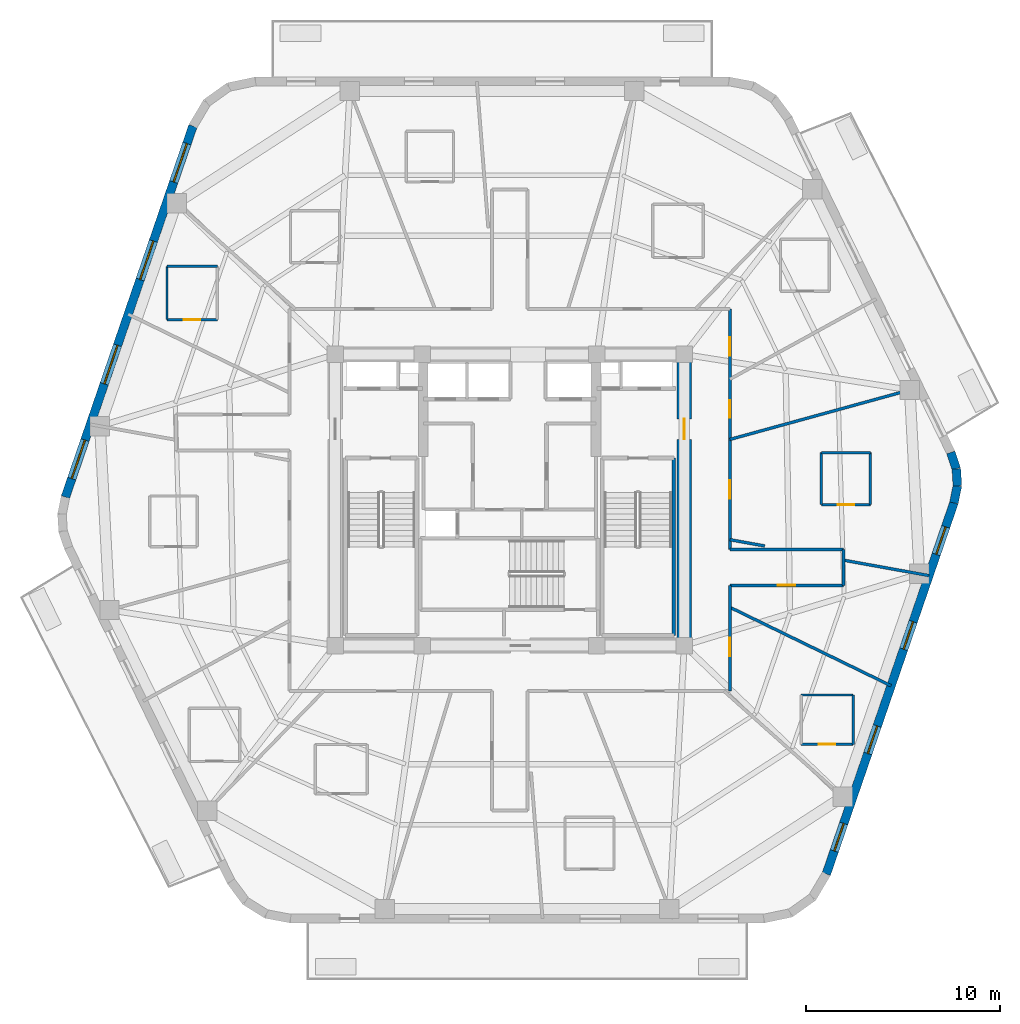
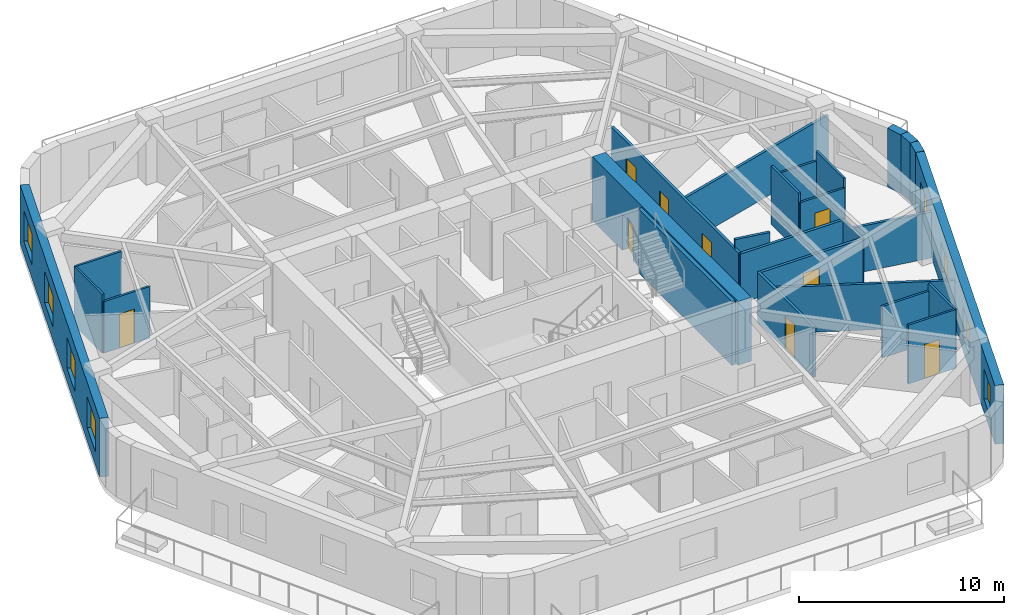
# One storey, part 5 of 10: 26 walls, 9 doors, 8 windows, 17 openings.
"""IFC4 building model written with IfcOpenShell, lengths in metres."""

from ifc_helpers import new_model, si_unit, direction, frame, frame_2d, origin, place, context, subcontext, project, spatial, rectangle, extrude, material, layer, layer_set, type_object, element, fill, save


model = new_model("IFC4")

# Units and contexts
model_context = context("Model", 3, precision=1e-05, world=origin(), true_north=direction((0.0, 1.0)))
body_context = subcontext(model_context, "Body", "Model", "MODEL_VIEW")
ifc_project = project(units=[si_unit("LENGTHUNIT", "METRE"), si_unit("AREAUNIT", "SQUARE_METRE"), si_unit("VOLUMEUNIT", "CUBIC_METRE"), si_unit("PLANEANGLEUNIT", "RADIAN"), si_unit("MASSUNIT", "GRAM", prefix="KILO")], contexts=[model_context])

# Site, building, storey
site_placement = place(None, origin())
site = spatial("IfcSite", under=ifc_project, at=site_placement, CompositionType="ELEMENT")
building_placement = place(site_placement, origin())
building = spatial("IfcBuilding", under=site, at=building_placement, Name="Kilnhurst Terrace Hotel", CompositionType="ELEMENT")
storey_placement = place(building_placement, frame((0.0, 0.0, 244.5)))
storey = spatial("IfcBuildingStorey", under=building, at=storey_placement, Name="L61", CompositionType="ELEMENT", Elevation=244.5)

# Walls
ifc_material_1 = material(Name="Precast concrete C40/50", Category="concrete")
ifc_layer_1 = layer(ifc_material_1, 0.449951171875, Name="Precast concrete C40/50")
ifc_layer_set_1 = layer_set([ifc_layer_1], Name="Precast concrete C40/50")
wall_type_1 = type_object("IfcWallType", Name="WL-BRK-450", PredefinedType="SOLIDWALL", material=ifc_layer_set_1)
wall_1_placement = place(storey_placement, frame((22.8984375, -0.149658203125, 0.0), z_axis=(0.0, 0.0, 1.0), x_axis=(0.199055826889, 0.979988151858, 0.0)))
element("IfcWall", 1, at=wall_1_placement, inside=storey, type_object=wall_type_1, Name="L61 Rounded Corner Brick Wall C3.1", PredefinedType="SOLIDWALL", context=body_context, shape_type="SweptSolid", body=[
    extrude(rectangle(XDim=0.89404296875, YDim=0.449951171875, at=frame_2d((0.447021484375, 0.0))), origin(), (0.0, 0.0, 1.0), 3.5),
])
wall_2_placement = place(storey_placement, frame((23.076416015625, 0.7265625, 0.0), z_axis=(0.0, 0.0, 1.0), x_axis=(-0.060805222108, 0.998149650586, 0.0)))
element("IfcWall", 2, at=wall_2_placement, inside=storey, type_object=wall_type_1, Name="L61 Rounded Corner Brick Wall C3.2", PredefinedType="SOLIDWALL", context=body_context, shape_type="SweptSolid", body=[
    extrude(rectangle(XDim=0.87939453125, YDim=0.449951171875, at=frame_2d((0.439697265625, 0.0))), origin(), (0.0, 0.0, 1.0), 3.5),
])
wall_3_placement = place(storey_placement, frame((23.02294921875, 1.604248046875, 0.0), z_axis=(0.0, 0.0, 1.0), x_axis=(-0.316801227695, 0.948491951537, 0.0)))
element("IfcWall", 3, at=wall_3_placement, inside=storey, type_object=wall_type_1, Name="L61 Rounded Corner Brick Wall C3.3", PredefinedType="SOLIDWALL", context=body_context, shape_type="SweptSolid", body=[
    extrude(rectangle(XDim=0.89404296875, YDim=0.449951171875, at=frame_2d((0.447021484375, 0.0))), origin(), (0.0, 0.0, 1.0), 3.5),
])

# Wall, openings, windows
wall_4_placement = place(storey_placement, frame((16.323974609375, -19.275146484375, 0.0), z_axis=(0.0, 0.0, 1.0), x_axis=(0.325083142304, 0.945685439557, 0.0)))
wall_4 = element("IfcWall", 4, at=wall_4_placement, inside=storey, type_object=wall_type_1, Name="L61 Exterior Brick Facade Wall F2", PredefinedType="SOLIDWALL", context=body_context, shape_type="SweptSolid", body=[
    extrude(rectangle(XDim=20.223876953125, YDim=0.449951171875, at=frame_2d((10.11181640625, 0.0))), origin(), (0.0, 0.0, 1.0), 3.5),
])
opening_1_placement = place(wall_4_placement, frame((1.2529296875, 0.0, 0.800048828125)))
opening_1 = element("IfcOpeningElement", 5, at=opening_1_placement, cuts=wall_4, Name="Opening W-02", PredefinedType="OPENING", context=body_context, shape_type="SweptSolid", body=[
    extrude(rectangle(XDim=1.5, YDim=1.800048828125, at=frame_2d((0.75, 0.89990234375))), frame((0.0, 0.23486328125, 0.0), z_axis=(0.0, -1.0, 0.0), x_axis=(1.0, 0.0, 0.0)), (0.0, 0.0, 1.0), 0.469970703125),
])
opening_2_placement = place(wall_4_placement, frame((6.568115234375, 0.0, 0.800048828125)))
opening_2 = element("IfcOpeningElement", 6, at=opening_2_placement, cuts=wall_4, Name="Opening W-02", PredefinedType="OPENING", context=body_context, shape_type="SweptSolid", body=[
    extrude(rectangle(XDim=1.5, YDim=1.800048828125, at=frame_2d((0.75, 0.89990234375))), frame((0.0, 0.23486328125, 0.0), z_axis=(0.0, -1.0, 0.0), x_axis=(1.0, 0.0, 0.0)), (0.0, 0.0, 1.0), 0.469970703125),
])
opening_3_placement = place(wall_4_placement, frame((12.25, 0.0, 0.800048828125)))
opening_3 = element("IfcOpeningElement", 7, at=opening_3_placement, cuts=wall_4, Name="Opening W-02", PredefinedType="OPENING", context=body_context, shape_type="SweptSolid", body=[
    extrude(rectangle(XDim=1.5, YDim=1.800048828125, at=frame_2d((0.75, 0.89990234375))), frame((0.0, 0.23486328125, 0.0), z_axis=(0.0, -1.0, 0.0), x_axis=(1.0, 0.0, 0.0)), (0.0, 0.0, 1.0), 0.469970703125),
])
opening_4_placement = place(wall_4_placement, frame((17.41796875, 0.0, 0.800048828125)))
opening_4 = element("IfcOpeningElement", 8, at=opening_4_placement, cuts=wall_4, Name="Opening W-02", PredefinedType="OPENING", context=body_context, shape_type="SweptSolid", body=[
    extrude(rectangle(XDim=1.5, YDim=1.800048828125, at=frame_2d((0.75, 0.89990234375))), frame((0.0, 0.23486328125, 0.0), z_axis=(0.0, -1.0, 0.0), x_axis=(1.0, 0.0, 0.0)), (0.0, 0.0, 1.0), 0.469970703125),
])
ifc_material_2 = material(Name="Thermally Broken Bronze Aluminium Alloy 6063-T6 and Low-E Glass", Category="aluminium")
window_type_1 = type_object("IfcWindowType", Name="WIN-1500X1800", PartitioningType="SINGLE_PANEL", PredefinedType="WINDOW", material=ifc_material_2)
window_1_placement = place(opening_1_placement, origin())
window_1 = element("IfcWindow", 9, at=window_1_placement, inside=storey, type_object=window_type_1, Name="L61 Deep-Set Masonry Window F2.1", OverallHeight=1.800048828125, OverallWidth=1.5, PartitioningType="SINGLE_PANEL", PredefinedType="WINDOW", context=body_context, shape_type="SweptSolid", body=[
    extrude(rectangle(XDim=1.5, YDim=1.800048828125, at=frame_2d((0.75, 0.89990234375))), frame((0.0, 0.030029296875, 0.0), z_axis=(0.0, -1.0, 0.0), x_axis=(1.0, 0.0, 0.0)), (0.0, 0.0, 1.0), 0.06005859375),
])
fill(opening_1, window_1)
window_2_placement = place(opening_2_placement, origin())
window_2 = element("IfcWindow", 10, at=window_2_placement, inside=storey, type_object=window_type_1, Name="L61 Deep-Set Masonry Window F2.2", OverallHeight=1.800048828125, OverallWidth=1.5, PartitioningType="SINGLE_PANEL", PredefinedType="WINDOW", context=body_context, shape_type="SweptSolid", body=[
    extrude(rectangle(XDim=1.5, YDim=1.800048828125, at=frame_2d((0.75, 0.89990234375))), frame((0.0, 0.030029296875, 0.0), z_axis=(0.0, -1.0, 0.0), x_axis=(1.0, 0.0, 0.0)), (0.0, 0.0, 1.0), 0.06005859375),
])
fill(opening_2, window_2)
window_3_placement = place(opening_3_placement, origin())
window_3 = element("IfcWindow", 11, at=window_3_placement, inside=storey, type_object=window_type_1, Name="L61 Deep-Set Masonry Window F2.3", OverallHeight=1.800048828125, OverallWidth=1.5, PartitioningType="SINGLE_PANEL", PredefinedType="WINDOW", context=body_context, shape_type="SweptSolid", body=[
    extrude(rectangle(XDim=1.5, YDim=1.800048828125, at=frame_2d((0.75, 0.89990234375))), frame((0.0, 0.030029296875, 0.0), z_axis=(0.0, -1.0, 0.0), x_axis=(1.0, 0.0, 0.0)), (0.0, 0.0, 1.0), 0.06005859375),
])
fill(opening_3, window_3)
window_4_placement = place(opening_4_placement, origin())
window_4 = element("IfcWindow", 12, at=window_4_placement, inside=storey, type_object=window_type_1, Name="L61 Deep-Set Masonry Window F2.4", OverallHeight=1.800048828125, OverallWidth=1.5, PartitioningType="SINGLE_PANEL", PredefinedType="WINDOW", context=body_context, shape_type="SweptSolid", body=[
    extrude(rectangle(XDim=1.5, YDim=1.800048828125, at=frame_2d((0.75, 0.89990234375))), frame((0.0, 0.030029296875, 0.0), z_axis=(0.0, -1.0, 0.0), x_axis=(1.0, 0.0, 0.0)), (0.0, 0.0, 1.0), 0.06005859375),
])
fill(opening_4, window_4)

wall_5_placement = place(storey_placement, frame((-16.323974609375, 19.275146484375, 0.0), z_axis=(0.0, 0.0, 1.0), x_axis=(-0.325083142304, -0.945685439557, 0.0)))
wall_5 = element("IfcWall", 13, at=wall_5_placement, inside=storey, type_object=wall_type_1, Name="L61 Exterior Brick Facade Wall F5", PredefinedType="SOLIDWALL", context=body_context, shape_type="SweptSolid", body=[
    extrude(rectangle(XDim=20.223876953125, YDim=0.449951171875, at=frame_2d((10.11181640625, 0.0))), origin(), (0.0, 0.0, 1.0), 3.5),
])
opening_5_placement = place(wall_5_placement, frame((0.952880859375, 0.0, 0.800048828125)))
opening_5 = element("IfcOpeningElement", 14, at=opening_5_placement, cuts=wall_5, Name="Opening W-04", PredefinedType="OPENING", context=body_context, shape_type="SweptSolid", body=[
    extrude(rectangle(XDim=2.10009765625, YDim=1.85009765625, at=frame_2d((1.050048828125, 0.925048828125))), frame((0.0, 0.23486328125, 0.0), z_axis=(0.0, -1.0, 0.0), x_axis=(1.0, 0.0, 0.0)), (0.0, 0.0, 1.0), 0.469970703125),
])
opening_6_placement = place(wall_5_placement, frame((6.26806640625, 0.0, 0.800048828125)))
opening_6 = element("IfcOpeningElement", 15, at=opening_6_placement, cuts=wall_5, Name="Opening W-04", PredefinedType="OPENING", context=body_context, shape_type="SweptSolid", body=[
    extrude(rectangle(XDim=2.10009765625, YDim=1.85009765625, at=frame_2d((1.050048828125, 0.925048828125))), frame((0.0, 0.23486328125, 0.0), z_axis=(0.0, -1.0, 0.0), x_axis=(1.0, 0.0, 0.0)), (0.0, 0.0, 1.0), 0.469970703125),
])
opening_7_placement = place(wall_5_placement, frame((11.949951171875, 0.0, 0.800048828125)))
opening_7 = element("IfcOpeningElement", 16, at=opening_7_placement, cuts=wall_5, Name="Opening W-04", PredefinedType="OPENING", context=body_context, shape_type="SweptSolid", body=[
    extrude(rectangle(XDim=2.10009765625, YDim=1.85009765625, at=frame_2d((1.050048828125, 0.925048828125))), frame((0.0, 0.23486328125, 0.0), z_axis=(0.0, -1.0, 0.0), x_axis=(1.0, 0.0, 0.0)), (0.0, 0.0, 1.0), 0.469970703125),
])
opening_8_placement = place(wall_5_placement, frame((17.117919921875, 0.0, 0.800048828125)))
opening_8 = element("IfcOpeningElement", 17, at=opening_8_placement, cuts=wall_5, Name="Opening W-04", PredefinedType="OPENING", context=body_context, shape_type="SweptSolid", body=[
    extrude(rectangle(XDim=2.10009765625, YDim=1.85009765625, at=frame_2d((1.050048828125, 0.925048828125))), frame((0.0, 0.23486328125, 0.0), z_axis=(0.0, -1.0, 0.0), x_axis=(1.0, 0.0, 0.0)), (0.0, 0.0, 1.0), 0.469970703125),
])
window_type_2 = type_object("IfcWindowType", Name="WIN-2100X1850", PartitioningType="SINGLE_PANEL", PredefinedType="WINDOW", material=ifc_material_2)
window_5_placement = place(opening_5_placement, origin())
window_5 = element("IfcWindow", 18, at=window_5_placement, inside=storey, type_object=window_type_2, Name="L61 Deep-Set Masonry Window F5.1", OverallHeight=1.85009765625, OverallWidth=2.10009765625, PartitioningType="SINGLE_PANEL", PredefinedType="WINDOW", context=body_context, shape_type="SweptSolid", body=[
    extrude(rectangle(XDim=2.10009765625, YDim=1.85009765625, at=frame_2d((1.050048828125, 0.925048828125))), frame((0.0, 0.030029296875, 0.0), z_axis=(0.0, -1.0, 0.0), x_axis=(1.0, 0.0, 0.0)), (0.0, 0.0, 1.0), 0.06005859375),
])
fill(opening_5, window_5)
window_6_placement = place(opening_6_placement, origin())
window_6 = element("IfcWindow", 19, at=window_6_placement, inside=storey, type_object=window_type_2, Name="L61 Deep-Set Masonry Window F5.2", OverallHeight=1.85009765625, OverallWidth=2.10009765625, PartitioningType="SINGLE_PANEL", PredefinedType="WINDOW", context=body_context, shape_type="SweptSolid", body=[
    extrude(rectangle(XDim=2.10009765625, YDim=1.85009765625, at=frame_2d((1.050048828125, 0.925048828125))), frame((0.0, 0.030029296875, 0.0), z_axis=(0.0, -1.0, 0.0), x_axis=(1.0, 0.0, 0.0)), (0.0, 0.0, 1.0), 0.06005859375),
])
fill(opening_6, window_6)
window_7_placement = place(opening_7_placement, origin())
window_7 = element("IfcWindow", 20, at=window_7_placement, inside=storey, type_object=window_type_2, Name="L61 Deep-Set Masonry Window F5.3", OverallHeight=1.85009765625, OverallWidth=2.10009765625, PartitioningType="SINGLE_PANEL", PredefinedType="WINDOW", context=body_context, shape_type="SweptSolid", body=[
    extrude(rectangle(XDim=2.10009765625, YDim=1.85009765625, at=frame_2d((1.050048828125, 0.925048828125))), frame((0.0, 0.030029296875, 0.0), z_axis=(0.0, -1.0, 0.0), x_axis=(1.0, 0.0, 0.0)), (0.0, 0.0, 1.0), 0.06005859375),
])
fill(opening_7, window_7)
window_8_placement = place(opening_8_placement, origin())
window_8 = element("IfcWindow", 21, at=window_8_placement, inside=storey, type_object=window_type_2, Name="L61 Deep-Set Masonry Window F5.4", OverallHeight=1.85009765625, OverallWidth=2.10009765625, PartitioningType="SINGLE_PANEL", PredefinedType="WINDOW", context=body_context, shape_type="SweptSolid", body=[
    extrude(rectangle(XDim=2.10009765625, YDim=1.85009765625, at=frame_2d((1.050048828125, 0.925048828125))), frame((0.0, 0.030029296875, 0.0), z_axis=(0.0, -1.0, 0.0), x_axis=(1.0, 0.0, 0.0)), (0.0, 0.0, 1.0), 0.06005859375),
])
fill(opening_8, window_8)

# Wall, openings, doors
ifc_material_3 = material(Name="Acoustic Double-Gypsum Corridor Partition Assembly")
ifc_layer_2 = layer(ifc_material_3, 0.14990234375, Name="Acoustic Double-Gypsum Corridor Partition Assembly")
ifc_layer_set_2 = layer_set([ifc_layer_2], Name="Acoustic Double-Gypsum Corridor Partition Assembly")
wall_type_2 = type_object("IfcWallType", Name="WL-COR-150", PredefinedType="PARTITIONING", material=ifc_layer_set_2)
wall_6_placement = place(storey_placement, frame((11.35009765625, 9.85009765625, 0.0), z_axis=(0.0, 0.0, 1.0), x_axis=(0.0, -1.0, 0.0)))
wall_6 = element("IfcWall", 22, at=wall_6_placement, inside=storey, type_object=wall_type_2, Name="L61 Interior Wall WL-L61-COR-11", PredefinedType="PARTITIONING", context=body_context, shape_type="SweptSolid", body=[
    extrude(rectangle(XDim=12.400146484375, YDim=0.14990234375, at=frame_2d((6.2001953125, 0.0))), origin(), (0.0, 0.0, 1.0), 2.989990234375),
])
opening_9_placement = place(wall_6_placement, frame((4.708984375, 0.0, 0.0)))
opening_9 = element("IfcOpeningElement", 23, at=opening_9_placement, cuts=wall_6, Name="Opening D-60C", PredefinedType="OPENING", context=body_context, shape_type="SweptSolid", body=[
    extrude(rectangle(XDim=0.89990234375, YDim=2.030029296875, at=frame_2d((0.449951171875, 1.01513671875))), frame((0.0, 0.0849609375, 0.0), z_axis=(0.0, -1.0, 0.0), x_axis=(1.0, 0.0, 0.0)), (0.0, 0.0, 1.0), 0.169921875),
])
opening_10_placement = place(wall_6_placement, frame((1.45703125, 0.0, 0.0)))
opening_10 = element("IfcOpeningElement", 24, at=opening_10_placement, cuts=wall_6, Name="Opening D-60B", PredefinedType="OPENING", context=body_context, shape_type="SweptSolid", body=[
    extrude(rectangle(XDim=0.949951171875, YDim=2.030029296875, at=frame_2d((0.47509765625, 1.01513671875))), frame((0.0, 0.0849609375, 0.0), z_axis=(0.0, -1.0, 0.0), x_axis=(1.0, 0.0, 0.0)), (0.0, 0.0, 1.0), 0.169921875),
])
opening_11_placement = place(wall_6_placement, frame((8.8349609375, 0.0, 0.0)))
opening_11 = element("IfcOpeningElement", 25, at=opening_11_placement, cuts=wall_6, Name="Opening D-60B", PredefinedType="OPENING", context=body_context, shape_type="SweptSolid", body=[
    extrude(rectangle(XDim=0.949951171875, YDim=2.030029296875, at=frame_2d((0.47509765625, 1.01513671875))), frame((0.0, 0.0849609375, 0.0), z_axis=(0.0, -1.0, 0.0), x_axis=(1.0, 0.0, 0.0)), (0.0, 0.0, 1.0), 0.169921875),
])
ifc_material_4 = material(Name="Painted Solid-Core Service Fire Door")
door_type_1 = type_object("IfcDoorType", Name="DR-FD60-900", OperationType="NOTDEFINED", PredefinedType="DOOR", material=ifc_material_4)
door_1_placement = place(opening_9_placement, origin())
door_1 = element("IfcDoor", 26, at=door_1_placement, inside=storey, type_object=door_type_1, Name="L61 Private Study Salon Door 1", OperationType="SINGLE_SWING_LEFT", OverallHeight=2.030029296875, OverallWidth=0.89990234375, PredefinedType="DOOR", context=body_context, shape_type="SweptSolid", body=[
    extrude(rectangle(XDim=0.89990234375, YDim=2.030029296875, at=frame_2d((0.449951171875, 1.01513671875))), frame((0.0, 0.02490234375, 0.0), z_axis=(0.0, -1.0, 0.0), x_axis=(1.0, 0.0, 0.0)), (0.0, 0.0, 1.0), 0.050048828125),
])
fill(opening_9, door_1)
ifc_material_5 = material(Name="Acoustic Walnut Veneer Solid-Core Fire Door")
door_type_2 = type_object("IfcDoorType", Name="DR-FD60-950", OperationType="NOTDEFINED", PredefinedType="DOOR", material=ifc_material_5)
door_2_placement = place(opening_10_placement, origin())
door_2 = element("IfcDoor", 27, at=door_2_placement, inside=storey, type_object=door_type_2, Name="L61 Guest Room Entry Door 2", OperationType="SINGLE_SWING_RIGHT", OverallHeight=2.030029296875, OverallWidth=0.949951171875, PredefinedType="DOOR", context=body_context, shape_type="SweptSolid", body=[
    extrude(rectangle(XDim=0.949951171875, YDim=2.030029296875, at=frame_2d((0.47509765625, 1.01513671875))), frame((0.0, 0.02490234375, 0.0), z_axis=(0.0, -1.0, 0.0), x_axis=(1.0, 0.0, 0.0)), (0.0, 0.0, 1.0), 0.050048828125),
])
fill(opening_10, door_2)
door_3_placement = place(opening_11_placement, origin())
door_3 = element("IfcDoor", 28, at=door_3_placement, inside=storey, type_object=door_type_2, Name="L61 Executive Suite Entry Door 18", OperationType="SINGLE_SWING_RIGHT", OverallHeight=2.030029296875, OverallWidth=0.949951171875, PredefinedType="DOOR", context=body_context, shape_type="SweptSolid", body=[
    extrude(rectangle(XDim=0.949951171875, YDim=2.030029296875, at=frame_2d((0.47509765625, 1.01513671875))), frame((0.0, 0.02490234375, 0.0), z_axis=(0.0, -1.0, 0.0), x_axis=(1.0, 0.0, 0.0)), (0.0, 0.0, 1.0), 0.050048828125),
])
fill(opening_11, door_3)

# Walls
wall_7_placement = place(storey_placement, frame((11.35009765625, -2.550048828125, 0.0), z_axis=(0.0, 0.0, 1.0), x_axis=(1.0, 0.0, 0.0)))
element("IfcWall", 29, at=wall_7_placement, inside=storey, type_object=wall_type_2, Name="L61 Interior Wall WL-L61-COR-12", PredefinedType="PARTITIONING", context=body_context, shape_type="SweptSolid", body=[
    extrude(rectangle(XDim=5.849853515625, YDim=0.14990234375, at=frame_2d((2.9248046875, 0.0))), origin(), (0.0, 0.0, 1.0), 2.9404296875),
])
wall_8_placement = place(storey_placement, frame((17.199951171875, -2.550048828125, 0.0), z_axis=(0.0, 0.0, 1.0), x_axis=(0.0, -1.0, 0.0)))
element("IfcWall", 30, at=wall_8_placement, inside=storey, type_object=wall_type_2, Name="L61 Interior Wall WL-L61-COR-13", PredefinedType="PARTITIONING", context=body_context, shape_type="SweptSolid", body=[
    extrude(rectangle(XDim=1.849853515625, YDim=0.14990234375, at=frame_2d((0.9248046875, 0.0))), origin(), (0.0, 0.0, 1.0), 2.9404296875),
])

# Wall, opening, door
wall_9_placement = place(storey_placement, frame((17.199951171875, -4.39990234375, 0.0), z_axis=(0.0, 0.0, 1.0), x_axis=(-1.0, 0.0, 0.0)))
wall_9 = element("IfcWall", 31, at=wall_9_placement, inside=storey, type_object=wall_type_2, Name="L61 Interior Wall WL-L61-COR-14", PredefinedType="PARTITIONING", context=body_context, shape_type="SweptSolid", body=[
    extrude(rectangle(XDim=5.849853515625, YDim=0.14990234375, at=frame_2d((2.9248046875, 0.0))), origin(), (0.0, 0.0, 1.0), 2.9404296875),
])
opening_12_placement = place(wall_9_placement, frame((2.47509765625, 0.0, 0.0)))
opening_12 = element("IfcOpeningElement", 32, at=opening_12_placement, cuts=wall_9, Name="Opening D-60C", PredefinedType="OPENING", context=body_context, shape_type="SweptSolid", body=[
    extrude(rectangle(XDim=0.89990234375, YDim=2.030029296875, at=frame_2d((0.449951171875, 1.01513671875))), frame((0.0, 0.0849609375, 0.0), z_axis=(0.0, -1.0, 0.0), x_axis=(1.0, 0.0, 0.0)), (0.0, 0.0, 1.0), 0.169921875),
])
door_4_placement = place(opening_12_placement, origin())
door_4 = element("IfcDoor", 33, at=door_4_placement, inside=storey, type_object=door_type_1, Name="L61 Private Tasting Dining Room Door 17", OperationType="SINGLE_SWING_LEFT", OverallHeight=2.030029296875, OverallWidth=0.89990234375, PredefinedType="DOOR", context=body_context, shape_type="SweptSolid", body=[
    extrude(rectangle(XDim=0.89990234375, YDim=2.030029296875, at=frame_2d((0.449951171875, 1.01513671875))), frame((0.0, 0.02490234375, 0.0), z_axis=(0.0, -1.0, 0.0), x_axis=(1.0, 0.0, 0.0)), (0.0, 0.0, 1.0), 0.050048828125),
])
fill(opening_12, door_4)

wall_10_placement = place(storey_placement, frame((11.35009765625, -4.39990234375, 0.0), z_axis=(0.0, 0.0, 1.0), x_axis=(0.0, -1.0, 0.0)))
wall_10 = element("IfcWall", 34, at=wall_10_placement, inside=storey, type_object=wall_type_2, Name="L61 Interior Wall WL-L61-COR-15", PredefinedType="PARTITIONING", context=body_context, shape_type="SweptSolid", body=[
    extrude(rectangle(XDim=5.4501953125, YDim=0.14990234375, at=frame_2d((2.72509765625, 0.0))), origin(), (0.0, 0.0, 1.0), 2.989990234375),
])
opening_13_placement = place(wall_10_placement, frame((2.694091796875, 0.0, 0.0)))
opening_13 = element("IfcOpeningElement", 35, at=opening_13_placement, cuts=wall_10, Name="Opening D-60B", PredefinedType="OPENING", context=body_context, shape_type="SweptSolid", body=[
    extrude(rectangle(XDim=0.949951171875, YDim=2.030029296875, at=frame_2d((0.47509765625, 1.01513671875))), frame((0.0, 0.0849609375, 0.0), z_axis=(0.0, -1.0, 0.0), x_axis=(1.0, 0.0, 0.0)), (0.0, 0.0, 1.0), 0.169921875),
])
door_5_placement = place(opening_13_placement, origin())
door_5 = element("IfcDoor", 36, at=door_5_placement, inside=storey, type_object=door_type_2, Name="L61 Guest Room Entry Door 16", OperationType="SINGLE_SWING_RIGHT", OverallHeight=2.030029296875, OverallWidth=0.949951171875, PredefinedType="DOOR", context=body_context, shape_type="SweptSolid", body=[
    extrude(rectangle(XDim=0.949951171875, YDim=2.030029296875, at=frame_2d((0.47509765625, 1.01513671875))), frame((0.0, 0.02490234375, 0.0), z_axis=(0.0, -1.0, 0.0), x_axis=(1.0, 0.0, 0.0)), (0.0, 0.0, 1.0), 0.050048828125),
])
fill(opening_13, door_5)

ifc_material_6 = material(Name="Concrete C60/75", Category="concrete")
ifc_layer_3 = layer(ifc_material_6, 0.75, Name="Concrete C60/75")
ifc_layer_set_3 = layer_set([ifc_layer_3], Name="Concrete C60/75")
wall_type_3 = type_object("IfcWallType", Name="WL-CORE-750", PredefinedType="SHEAR", material=ifc_layer_set_3)
wall_11_placement = place(storey_placement, frame((9.0, -7.125, 0.0), z_axis=(0.0, 0.0, 1.0), x_axis=(0.0, 1.0, 0.0)))
wall_11 = element("IfcWall", 37, at=wall_11_placement, inside=storey, type_object=wall_type_3, Name="L61 Core East Shear Wall", PredefinedType="SHEAR", context=body_context, shape_type="SweptSolid", body=[
    extrude(rectangle(XDim=14.25, YDim=0.75, at=frame_2d((7.125, 0.0))), origin(), (0.0, 0.0, 1.0), 3.800048828125),
])
opening_14_placement = place(wall_11_placement, frame((10.25, 0.0, 0.0)))
opening_14 = element("IfcOpeningElement", 38, at=opening_14_placement, cuts=wall_11, Name="Opening D-90A", PredefinedType="OPENING", context=body_context, shape_type="SweptSolid", body=[
    extrude(rectangle(XDim=1.050048828125, YDim=2.14990234375, at=frame_2d((0.52490234375, 1.074951171875))), frame((0.0, 0.385009765625, 0.0), z_axis=(0.0, -1.0, 0.0), x_axis=(1.0, 0.0, 0.0)), (0.0, 0.0, 1.0), 0.77001953125),
])
ifc_material_7 = material(Name="Painted Hollow Metal Steel ASTM A36 Fire Door", Category="steel")
door_type_3 = type_object("IfcDoorType", Name="DR-FD90-1050", OperationType="NOTDEFINED", PredefinedType="DOOR", material=ifc_material_7)
door_6_placement = place(opening_14_placement, origin())
door_6 = element("IfcDoor", 39, at=door_6_placement, inside=storey, type_object=door_type_3, Name="L61 East Firefighting Lobby Door", OperationType="SINGLE_SWING_LEFT", OverallHeight=2.14990234375, OverallWidth=1.050048828125, PredefinedType="DOOR", context=body_context, shape_type="SweptSolid", body=[
    extrude(rectangle(XDim=1.050048828125, YDim=2.14990234375, at=frame_2d((0.52490234375, 1.074951171875))), frame((0.0, 0.02490234375, 0.0), z_axis=(0.0, -1.0, 0.0), x_axis=(1.0, 0.0, 0.0)), (0.0, 0.0, 1.0), 0.050048828125),
])
fill(opening_14, door_6)

# Walls
ifc_material_8 = material(Name="STC-58 Acoustic Twin-Frame Guestroom Demising Partition")
ifc_layer_4 = layer(ifc_material_8, 0.14990234375, Name="STC-58 Acoustic Twin-Frame Guestroom Demising Partition")
ifc_layer_set_4 = layer_set([ifc_layer_4], Name="STC-58 Acoustic Twin-Frame Guestroom Demising Partition")
wall_type_4 = type_object("IfcWallType", Name="WL-DEM-150", PredefinedType="PARTITIONING", material=ifc_layer_set_4)
wall_12_placement = place(storey_placement, frame((11.35009765625, 3.12060546875, 0.0), z_axis=(0.0, 0.0, 1.0), x_axis=(0.964212793822, 0.265129568758, 0.0)))
element("IfcWall", 40, at=wall_12_placement, inside=storey, type_object=wall_type_4, Name="L61 Interior Wall WL-L61-DEM-COL01-01-1", PredefinedType="PARTITIONING", context=body_context, shape_type="SweptSolid", body=[
    extrude(rectangle(XDim=10.119873046875, YDim=0.14990234375, at=frame_2d((5.06005859375, 0.0))), origin(), (0.0, 0.0, 1.0), 2.739990234375),
])
wall_13_placement = place(storey_placement, frame((11.35009765625, -5.528076171875, 0.0), z_axis=(0.0, 0.0, 1.0), x_axis=(0.899038669565, -0.437869239188, 0.0)))
element("IfcWall", 41, at=wall_13_placement, inside=storey, type_object=wall_type_4, Name="L61 Interior Wall WL-L61-DEM-MID11-17-1", PredefinedType="PARTITIONING", context=body_context, shape_type="SweptSolid", body=[
    extrude(rectangle(XDim=9.24169921875, YDim=0.14990234375, at=frame_2d((4.620849609375, 0.0))), origin(), (0.0, 0.0, 1.0), 2.739990234375),
])
wall_14_placement = place(storey_placement, frame((11.35009765625, -2.046142578125, 0.0), z_axis=(0.0, 0.0, 1.0), x_axis=(0.984127783205, -0.177461281195, 0.0)))
element("IfcWall", 42, at=wall_14_placement, inside=storey, type_object=wall_type_4, Name="L61 Interior Wall WL-L61-DEM-COL12-18-1", PredefinedType="PARTITIONING", context=body_context, shape_type="SweptSolid", body=[
    extrude(rectangle(XDim=1.82568359375, YDim=0.14990234375, at=frame_2d((0.912841796875, 0.0))), origin(), (0.0, 0.0, 1.0), 3.5),
])
wall_15_placement = place(storey_placement, frame((17.199951171875, -3.1005859375, 0.0), z_axis=(0.0, 0.0, 1.0), x_axis=(0.98413465883, -0.177423147559, 0.0)))
element("IfcWall", 43, at=wall_15_placement, inside=storey, type_object=wall_type_4, Name="L61 Interior Wall WL-L61-DEM-COL12-18-2", PredefinedType="PARTITIONING", context=body_context, shape_type="SweptSolid", body=[
    extrude(rectangle(XDim=4.481689453125, YDim=0.14990234375, at=frame_2d((2.24072265625, 0.0))), origin(), (0.0, 0.0, 1.0), 2.739990234375),
])

# Wall, opening, door
ifc_material_9 = material(Name="120 mm Moisture-Resistant Tile-Backed Bathroom Partition")
ifc_layer_5 = layer(ifc_material_9, 0.1201171875, Name="120 mm Moisture-Resistant Tile-Backed Bathroom Partition")
ifc_layer_set_5 = layer_set([ifc_layer_5], Name="120 mm Moisture-Resistant Tile-Backed Bathroom Partition")
wall_type_5 = type_object("IfcWallType", Name="WL-PART-120", PredefinedType="PARTITIONING", material=ifc_layer_set_5)
wall_16_placement = place(storey_placement, frame((-17.6640625, 9.2939453125, 0.0), z_axis=(0.0, 0.0, 1.0), x_axis=(1.0, 0.0, 0.0)))
wall_16 = element("IfcWall", 44, at=wall_16_placement, inside=storey, type_object=wall_type_5, Name="L61 Interior Wall WL-L61-BTH-07-1", PredefinedType="PARTITIONING", context=body_context, shape_type="SweptSolid", body=[
    extrude(rectangle(XDim=2.60009765625, YDim=0.1201171875, at=frame_2d((1.300048828125, 0.0))), origin(), (0.0, 0.0, 1.0), 3.072509765625),
])
opening_15_placement = place(wall_16_placement, frame((0.875, 0.0, 0.0)))
opening_15 = element("IfcOpeningElement", 45, at=opening_15_placement, cuts=wall_16, Name="Opening D-08A", PredefinedType="OPENING", context=body_context, shape_type="SweptSolid", body=[
    extrude(rectangle(XDim=0.85009765625, YDim=2.030029296875, at=frame_2d((0.425048828125, 1.01513671875))), frame((0.0, 0.070068359375, 0.0), z_axis=(0.0, -1.0, 0.0), x_axis=(1.0, 0.0, 0.0)), (0.0, 0.0, 1.0), 0.14013671875),
])
ifc_material_10 = material(Name="Moisture-Resistant Lacquered En-suite Bathroom Door")
door_type_4 = type_object("IfcDoorType", Name="DR-INT-850", OperationType="NOTDEFINED", PredefinedType="DOOR", material=ifc_material_10)
door_7_placement = place(opening_15_placement, origin())
door_7 = element("IfcDoor", 46, at=door_7_placement, inside=storey, type_object=door_type_4, Name="L61 En-suite Bathroom Door 7", OperationType="SINGLE_SWING_RIGHT", OverallHeight=2.030029296875, OverallWidth=0.85009765625, PredefinedType="DOOR", context=body_context, shape_type="SweptSolid", body=[
    extrude(rectangle(XDim=0.85009765625, YDim=2.030029296875, at=frame_2d((0.425048828125, 1.01513671875))), frame((0.0, 0.02490234375, 0.0), z_axis=(0.0, -1.0, 0.0), x_axis=(1.0, 0.0, 0.0)), (0.0, 0.0, 1.0), 0.050048828125),
])
fill(opening_15, door_7)

# Walls
wall_17_placement = place(storey_placement, frame((-15.06396484375, 12.0439453125, 0.0), z_axis=(0.0, 0.0, 1.0), x_axis=(-1.0, 0.0, 0.0)))
element("IfcWall", 47, at=wall_17_placement, inside=storey, type_object=wall_type_5, Name="L61 Interior Wall WL-L61-BTH-07-3", PredefinedType="PARTITIONING", context=body_context, shape_type="SweptSolid", body=[
    extrude(rectangle(XDim=2.60009765625, YDim=0.1201171875, at=frame_2d((1.300048828125, 0.0))), origin(), (0.0, 0.0, 1.0), 3.5),
])
wall_18_placement = place(storey_placement, frame((-17.6640625, 12.0439453125, 0.0), z_axis=(0.0, 0.0, 1.0), x_axis=(0.0, -1.0, 0.0)))
element("IfcWall", 48, at=wall_18_placement, inside=storey, type_object=wall_type_5, Name="L61 Interior Wall WL-L61-BTH-07-4", PredefinedType="PARTITIONING", context=body_context, shape_type="SweptSolid", body=[
    extrude(rectangle(XDim=2.75, YDim=0.1201171875, at=frame_2d((1.375, 0.0))), origin(), (0.0, 0.0, 1.0), 3.5),
])

# Wall, opening, door
wall_19_placement = place(storey_placement, frame((15.02392578125, -12.589111328125, 0.0), z_axis=(0.0, 0.0, 1.0), x_axis=(1.0, 0.0, 0.0)))
wall_19 = element("IfcWall", 49, at=wall_19_placement, inside=storey, type_object=wall_type_5, Name="L61 Interior Wall WL-L61-BTH-16-1", PredefinedType="PARTITIONING", context=body_context, shape_type="SweptSolid", body=[
    extrude(rectangle(XDim=2.68017578125, YDim=0.1201171875, at=frame_2d((1.340087890625, 0.0))), origin(), (0.0, 0.0, 1.0), 3.5),
])
opening_16_placement = place(wall_19_placement, frame((0.9150390625, 0.0, 0.0)))
opening_16 = element("IfcOpeningElement", 50, at=opening_16_placement, cuts=wall_19, Name="Opening D-08A", PredefinedType="OPENING", context=body_context, shape_type="SweptSolid", body=[
    extrude(rectangle(XDim=0.85009765625, YDim=2.030029296875, at=frame_2d((0.425048828125, 1.01513671875))), frame((0.0, 0.070068359375, 0.0), z_axis=(0.0, -1.0, 0.0), x_axis=(1.0, 0.0, 0.0)), (0.0, 0.0, 1.0), 0.14013671875),
])
door_8_placement = place(opening_16_placement, origin())
door_8 = element("IfcDoor", 51, at=door_8_placement, inside=storey, type_object=door_type_4, Name="L61 En-suite Bathroom Door 16", OperationType="SINGLE_SWING_LEFT", OverallHeight=2.030029296875, OverallWidth=0.85009765625, PredefinedType="DOOR", context=body_context, shape_type="SweptSolid", body=[
    extrude(rectangle(XDim=0.85009765625, YDim=2.030029296875, at=frame_2d((0.425048828125, 1.01513671875))), frame((0.0, 0.02490234375, 0.0), z_axis=(0.0, -1.0, 0.0), x_axis=(1.0, 0.0, 0.0)), (0.0, 0.0, 1.0), 0.050048828125),
])
fill(opening_16, door_8)

# Walls
wall_20_placement = place(storey_placement, frame((17.7041015625, -12.589111328125, 0.0), z_axis=(0.0, 0.0, 1.0), x_axis=(0.0, 1.0, 0.0)))
element("IfcWall", 52, at=wall_20_placement, inside=storey, type_object=wall_type_5, Name="L61 Interior Wall WL-L61-BTH-16-2", PredefinedType="PARTITIONING", context=body_context, shape_type="SweptSolid", body=[
    extrude(rectangle(XDim=2.5400390625, YDim=0.1201171875, at=frame_2d((1.27001953125, 0.0))), origin(), (0.0, 0.0, 1.0), 3.5),
])
wall_21_placement = place(storey_placement, frame((17.7041015625, -10.049072265625, 0.0), z_axis=(0.0, 0.0, 1.0), x_axis=(-1.0, 0.0, 0.0)))
element("IfcWall", 53, at=wall_21_placement, inside=storey, type_object=wall_type_5, Name="L61 Interior Wall WL-L61-BTH-16-3", PredefinedType="PARTITIONING", context=body_context, shape_type="SweptSolid", body=[
    extrude(rectangle(XDim=2.68017578125, YDim=0.1201171875, at=frame_2d((1.340087890625, 0.0))), origin(), (0.0, 0.0, 1.0), 3.072509765625),
])

# Wall, opening, door
wall_22_placement = place(storey_placement, frame((16.06591796875, -0.239013671875, 0.0), z_axis=(0.0, 0.0, 1.0), x_axis=(1.0, 0.0, 0.0)))
wall_22 = element("IfcWall", 54, at=wall_22_placement, inside=storey, type_object=wall_type_5, Name="L61 Interior Wall WL-L61-BTH-18-1", PredefinedType="PARTITIONING", context=body_context, shape_type="SweptSolid", body=[
    extrude(rectangle(XDim=2.52001953125, YDim=0.1201171875, at=frame_2d((1.260009765625, 0.0))), origin(), (0.0, 0.0, 1.0), 2.9404296875),
])
opening_17_placement = place(wall_22_placement, frame((0.8349609375, 0.0, 0.0)))
opening_17 = element("IfcOpeningElement", 55, at=opening_17_placement, cuts=wall_22, Name="Opening D-08A", PredefinedType="OPENING", context=body_context, shape_type="SweptSolid", body=[
    extrude(rectangle(XDim=0.85009765625, YDim=2.030029296875, at=frame_2d((0.425048828125, 1.01513671875))), frame((0.0, 0.070068359375, 0.0), z_axis=(0.0, -1.0, 0.0), x_axis=(1.0, 0.0, 0.0)), (0.0, 0.0, 1.0), 0.14013671875),
])
door_9_placement = place(opening_17_placement, origin())
door_9 = element("IfcDoor", 56, at=door_9_placement, inside=storey, type_object=door_type_4, Name="L61 En-suite Bathroom Door 18", OperationType="SINGLE_SWING_LEFT", OverallHeight=2.030029296875, OverallWidth=0.85009765625, PredefinedType="DOOR", context=body_context, shape_type="SweptSolid", body=[
    extrude(rectangle(XDim=0.85009765625, YDim=2.030029296875, at=frame_2d((0.425048828125, 1.01513671875))), frame((0.0, 0.02490234375, 0.0), z_axis=(0.0, -1.0, 0.0), x_axis=(1.0, 0.0, 0.0)), (0.0, 0.0, 1.0), 0.050048828125),
])
fill(opening_17, door_9)

# Walls
wall_23_placement = place(storey_placement, frame((18.5859375, -0.239013671875, 0.0), z_axis=(0.0, 0.0, 1.0), x_axis=(0.0, 1.0, 0.0)))
element("IfcWall", 57, at=wall_23_placement, inside=storey, type_object=wall_type_5, Name="L61 Interior Wall WL-L61-BTH-18-2", PredefinedType="PARTITIONING", context=body_context, shape_type="SweptSolid", body=[
    extrude(rectangle(XDim=2.679931640625, YDim=0.1201171875, at=frame_2d((1.33984375, 0.0))), origin(), (0.0, 0.0, 1.0), 3.5),
])
wall_24_placement = place(storey_placement, frame((18.5859375, 2.44091796875, 0.0), z_axis=(0.0, 0.0, 1.0), x_axis=(-1.0, 0.0, 0.0)))
element("IfcWall", 58, at=wall_24_placement, inside=storey, type_object=wall_type_5, Name="L61 Interior Wall WL-L61-BTH-18-3", PredefinedType="PARTITIONING", context=body_context, shape_type="SweptSolid", body=[
    extrude(rectangle(XDim=2.52001953125, YDim=0.1201171875, at=frame_2d((1.260009765625, 0.0))), origin(), (0.0, 0.0, 1.0), 2.9404296875),
])
wall_25_placement = place(storey_placement, frame((16.06591796875, 2.44091796875, 0.0), z_axis=(0.0, 0.0, 1.0), x_axis=(0.0, -1.0, 0.0)))
element("IfcWall", 59, at=wall_25_placement, inside=storey, type_object=wall_type_5, Name="L61 Interior Wall WL-L61-BTH-18-4", PredefinedType="PARTITIONING", context=body_context, shape_type="SweptSolid", body=[
    extrude(rectangle(XDim=2.679931640625, YDim=0.1201171875, at=frame_2d((1.33984375, 0.0))), origin(), (0.0, 0.0, 1.0), 3.5),
])
ifc_material_11 = material(Name="Concrete C50/60", Category="concrete")
ifc_layer_6 = layer(ifc_material_11, 0.199951171875, Name="Concrete C50/60")
ifc_layer_set_6 = layer_set([ifc_layer_6], Name="Concrete C50/60")
wall_type_6 = type_object("IfcWallType", Name="WL-STAIR-RC-200", PredefinedType="SHEAR", material=ifc_layer_set_6)
wall_26_placement = place(storey_placement, frame((8.4580078125, -6.985107421875, 0.0), z_axis=(0.0, 0.0, 1.0), x_axis=(0.0, 1.0, 0.0)))
element("IfcWall", 60, at=wall_26_placement, inside=storey, type_object=wall_type_6, Name="L61 Structural Stair Shaft Wall WL-L61-ST2-E", PredefinedType="SHEAR", context=body_context, shape_type="SweptSolid", body=[
    extrude(rectangle(XDim=9.14306640625, YDim=0.199951171875, at=frame_2d((4.571533203125, 0.0))), origin(), (0.0, 0.0, 1.0), 3.800048828125),
])

save(model, "model.ifc")
